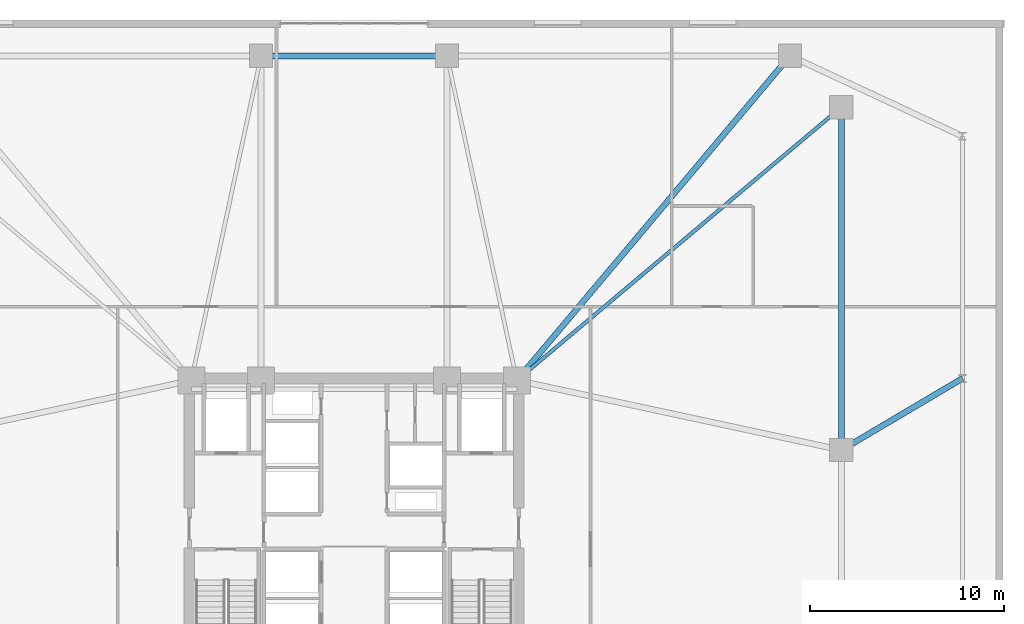
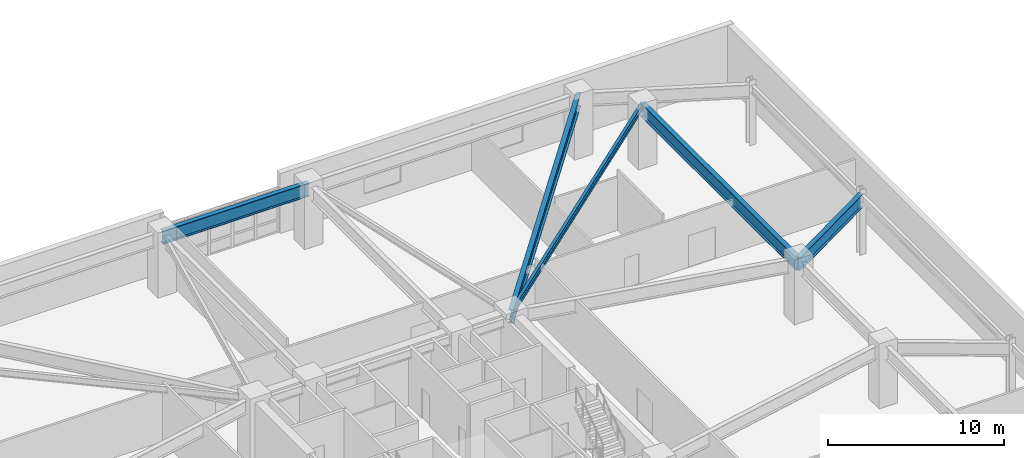
# One storey, part 8 of 21: 5 beams.
"""IFC4 building model written with IfcOpenShell, lengths in metres."""

from ifc_helpers import new_model, si_unit, direction, frame, origin, origin_2d, place, context, subcontext, project, spatial, i_section, extrude, material, material_profile, profile_set, type_object, element, save


model = new_model("IFC4")

# Units and contexts
model_context = context("Model", 3, precision=1e-05, world=origin(), true_north=direction((0.0, 1.0)))
body_context = subcontext(model_context, "Body", "Model", "MODEL_VIEW")
ifc_project = project(units=[si_unit("LENGTHUNIT", "METRE"), si_unit("AREAUNIT", "SQUARE_METRE"), si_unit("VOLUMEUNIT", "CUBIC_METRE"), si_unit("PLANEANGLEUNIT", "RADIAN"), si_unit("MASSUNIT", "GRAM", prefix="KILO")], contexts=[model_context])

# Site, building, storey
site_placement = place(None, origin())
site = spatial("IfcSite", under=ifc_project, at=site_placement, CompositionType="ELEMENT")
building_placement = place(site_placement, origin())
building = spatial("IfcBuilding", under=site, at=building_placement, Name="Cairnveth Concourse Tower", CompositionType="ELEMENT")
storey_placement = place(building_placement, frame((0.0, 0.0, 14.5)))
storey = spatial("IfcBuildingStorey", under=building, at=storey_placement, Name="L03", CompositionType="ELEMENT", Elevation=14.5)

# Beams
ifc_material = material(Name="Steel Grade 350", Category="steel")
ifc_material_profile_1 = material_profile(ifc_material, i_section(OverallWidth=0.18994140625, OverallDepth=0.45703125, WebThickness=0.009033203125, FlangeThickness=0.014404296875, FilletRadius=0.010986328125, at=origin_2d()), Name="460UB74.6")
ifc_profile_set_1 = profile_set([ifc_material_profile_1], Name="Steel Grade 350")
beam_type_1 = type_object("IfcBeamType", Name="PODIUM FLOOR JOIST 460UB74.6", PredefinedType="JOIST", material=ifc_profile_set_1)
beam_1_placement = place(storey_placement, frame((77.14990234375, 61.5, 3.92138671875), z_axis=(-0.765027427674, -0.643997697905, 0.0), x_axis=(0.643997697905, -0.765027427674, 0.0)))
element("IfcBeam", 1, at=beam_1_placement, inside=storey, type_object=beam_type_1, Name="Beam PJ-NE1 L03", PredefinedType="JOIST", context=body_context, shape_type="SweptSolid", body=[
    extrude(i_section(OverallWidth=0.18994140625, OverallDepth=0.45703125, WebThickness=0.009033203125, FlangeThickness=0.014404296875, FilletRadius=0.010986328125, at=origin_2d()), origin(), (0.0, 0.0, 1.0), 21.89453125),
])
ifc_material_profile_2 = material_profile(ifc_material, i_section(OverallWidth=0.300048828125, OverallDepth=0.924072265625, WebThickness=0.013916015625, FlangeThickness=0.031982421875, at=origin_2d()), Name="900WB257")
ifc_profile_set_2 = profile_set([ifc_material_profile_2], Name="Steel Grade 350")
beam_type_2 = type_object("IfcBeamType", Name="PODIUM PRIMARY GIRDER 900WB257", PredefinedType="BEAM", material=ifc_profile_set_2)
beam_2_placement = place(storey_placement, frame((77.14990234375, 43.800048828125, 3.68798828125), z_axis=(0.860518044459, 0.509419959523, 0.0), x_axis=(-0.509419959523, 0.860518044459, 0.0)))
element("IfcBeam", 2, at=beam_2_placement, inside=storey, type_object=beam_type_2, Name="Beam PG-E2B L03", PredefinedType="BEAM", context=body_context, shape_type="SweptSolid", body=[
    extrude(i_section(OverallWidth=0.300048828125, OverallDepth=0.924072265625, WebThickness=0.013916015625, FlangeThickness=0.031982421875, at=origin_2d()), origin(), (0.0, 0.0, 1.0), 7.26318359375),
])
beam_3_placement = place(storey_placement, frame((74.5, 64.14990234375, 3.68798828125), z_axis=(-0.643997697905, -0.765027427674, 0.0), x_axis=(0.765027427674, -0.643997697905, 0.0)))
element("IfcBeam", 3, at=beam_3_placement, inside=storey, type_object=beam_type_2, Name="Beam PG-CNE L03", PredefinedType="BEAM", context=body_context, shape_type="SweptSolid", body=[
    extrude(i_section(OverallWidth=0.300048828125, OverallDepth=0.924072265625, WebThickness=0.013916015625, FlangeThickness=0.031982421875, at=origin_2d()), origin(), (0.0, 0.0, 1.0), 21.89453125),
])
beam_4_placement = place(storey_placement, frame((47.199951171875, 64.14990234375, 3.68798828125), z_axis=(1.0, 0.0, 0.0), x_axis=(0.0, 1.0, 0.0)))
element("IfcBeam", 4, at=beam_4_placement, inside=storey, type_object=beam_type_2, Name="Beam PR-N2 L03", PredefinedType="BEAM", context=body_context, shape_type="SweptSolid", body=[
    extrude(i_section(OverallWidth=0.300048828125, OverallDepth=0.924072265625, WebThickness=0.013916015625, FlangeThickness=0.031982421875, at=origin_2d()), origin(), (0.0, 0.0, 1.0), 9.60009765625),
])
beam_5_placement = place(storey_placement, frame((77.14990234375, 43.800048828125, 3.68798828125), z_axis=(0.0, 1.0, 0.0), x_axis=(-1.0, 0.0, 0.0)))
element("IfcBeam", 5, at=beam_5_placement, inside=storey, type_object=beam_type_2, Name="Beam PR-E3 L03", PredefinedType="BEAM", context=body_context, shape_type="SweptSolid", body=[
    extrude(i_section(OverallWidth=0.300048828125, OverallDepth=0.924072265625, WebThickness=0.013916015625, FlangeThickness=0.031982421875, at=origin_2d()), origin(), (0.0, 0.0, 1.0), 17.699951171875),
])

save(model, "model.ifc")
